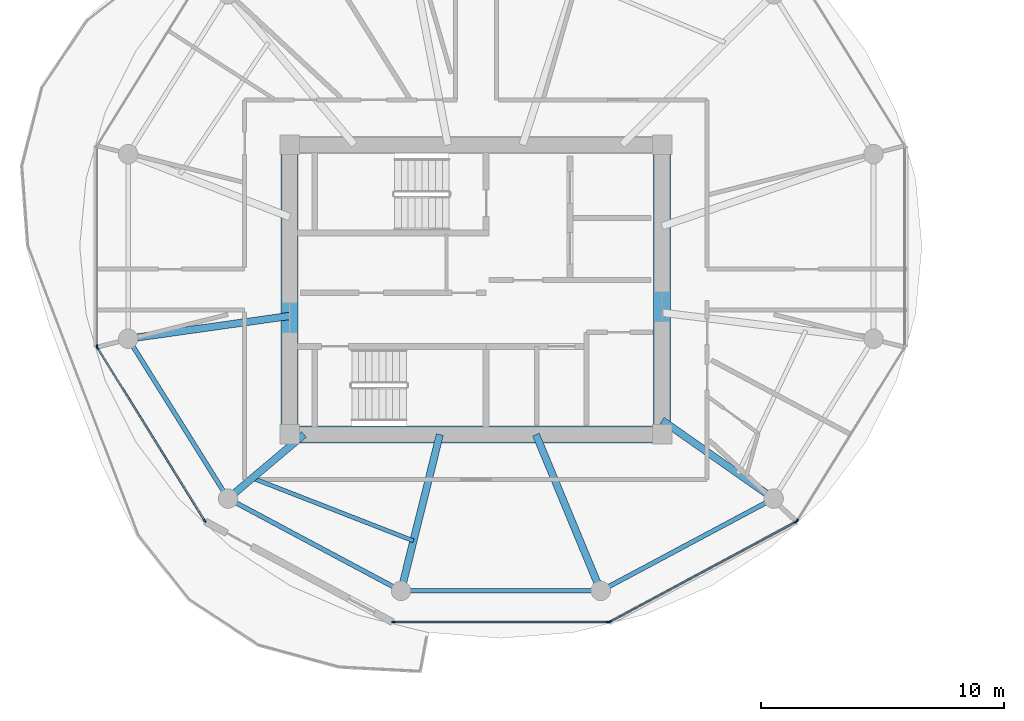
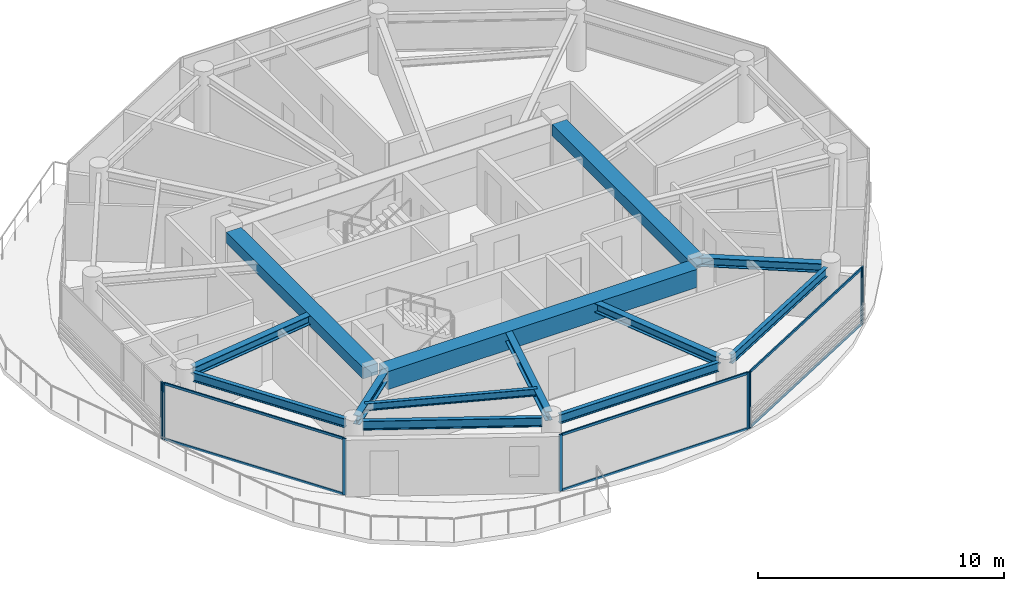
# One storey, part 2 of 23: 14 members, 13 beams, 5 elements without a shape of their own.
"""IFC4 building model written with IfcOpenShell, lengths in metres."""

from ifc_helpers import new_model, si_unit, direction, frame, origin, origin_2d, place, context, subcontext, project, spatial, rectangle, i_section, extrude, source, transform, mapped, material, layer, layer_set, material_profile, profile_set, type_object, type_shapes, element, aggregate, save


model = new_model("IFC4")

# Units and contexts
model_context = context("Model", 3, precision=1e-05, world=origin(), true_north=direction((0.0, 1.0)))
body_context = subcontext(model_context, "Body", "Model", "MODEL_VIEW")
ifc_project = project(units=[si_unit("LENGTHUNIT", "METRE"), si_unit("AREAUNIT", "SQUARE_METRE"), si_unit("VOLUMEUNIT", "CUBIC_METRE"), si_unit("PLANEANGLEUNIT", "RADIAN"), si_unit("MASSUNIT", "GRAM", prefix="KILO")], contexts=[model_context])

# Site, building, storey
site_placement = place(None, origin())
site = spatial("IfcSite", under=ifc_project, at=site_placement, CompositionType="ELEMENT")
building_placement = place(site_placement, origin())
building = spatial("IfcBuilding", under=site, at=building_placement, Name="Norrkilde Senior Care Towers", CompositionType="ELEMENT")
storey_placement = place(building_placement, frame((0.0, 0.0, 158.699951171875)))
storey = spatial("IfcBuildingStorey", under=building, at=storey_placement, Name="L49", CompositionType="ELEMENT", Elevation=158.699951171875)

# Beams
ifc_material_1 = material(Name="Concrete C60/75", Category="concrete")
ifc_material_profile_1 = material_profile(ifc_material_1, rectangle(XDim=0.699951171875, YDim=0.89990234375, at=origin_2d()), Name="RC BM 700x900")
ifc_profile_set_1 = profile_set([ifc_material_profile_1], Name="Concrete C60/75")
beam_type_1 = type_object("IfcBeamType", Name="Core Coupling Girder 700x900", PredefinedType="USERDEFINED", material=ifc_profile_set_1)
shared_shape_1 = source(origin(), body_context, "Body", "SweptSolid", [
    extrude(rectangle(XDim=0.699951171875, YDim=0.89990234375, at=origin_2d()), origin(), (0.0, 0.0, 1.0), 14.5400390625),
])
type_shapes(beam_type_1, [shared_shape_1])
beam_1_placement = place(storey_placement, frame((-35.27001953125, -5.949951171875, 2.360107421875), z_axis=(1.0, 0.0, 0.0), x_axis=(0.0, 1.0, 0.0)))
element("IfcBeam", 1, at=beam_1_placement, inside=storey, type_object=beam_type_1, Name="L49 Core W S Coupling Girder", ObjectType="GIRDER", PredefinedType="USERDEFINED", context=body_context, shape_type="MappedRepresentation", body=[
    mapped(shared_shape_1, transform((0.0, 0.0, 0.0), x_axis=(1.0, 0.0, 0.0), y_axis=(0.0, 1.0, 0.0), z_axis=(0.0, 0.0, 1.0), scale=1.0)),
])
ifc_material_profile_2 = material_profile(ifc_material_1, rectangle(XDim=0.699951171875, YDim=0.550048828125, at=origin_2d()), Name="RC BM 700x550")
ifc_profile_set_2 = profile_set([ifc_material_profile_2], Name="Concrete C60/75")
beam_type_2 = type_object("IfcBeamType", Name="Core Portal Coupling Beam 700x550", PredefinedType="USERDEFINED", material=ifc_profile_set_2)
shared_shape_2 = source(origin(), body_context, "Body", "SweptSolid", [
    extrude(rectangle(XDim=0.699951171875, YDim=0.550048828125, at=origin_2d()), origin(), (0.0, 0.0, 1.0), 11.14013671875),
])
type_shapes(beam_type_2, [shared_shape_2])
for number, where, z_axis, x_axis, name in (
    (2, (-35.64990234375, -5.570068359375, 2.53515625), (0.0, 1.0, 0.0), (-1.0, 0.0, 0.0), "L49 Core W W Coupling Girder"),
    (3, (-20.35009765625, -5.570068359375, 2.53515625), (0.0, 1.0, 0.0), (-1.0, 0.0, 0.0), "L49 Core W E Coupling Girder"),
):
    element("IfcBeam", number, at=place(storey_placement, frame(where, z_axis=z_axis, x_axis=x_axis)), inside=storey, type_object=beam_type_2, Name=name, ObjectType="GIRDER", PredefinedType="USERDEFINED", context=body_context, shape_type="MappedRepresentation", body=[
        mapped(shared_shape_2, transform((0.0, 0.0, 0.0), x_axis=(1.0, 0.0, 0.0), y_axis=(0.0, 1.0, 0.0), z_axis=(0.0, 0.0, 1.0), scale=1.0)),
    ])
ifc_material_2 = material(Name="Steel S355", Category="steel")
ifc_material_profile_3 = material_profile(ifc_material_2, i_section(OverallWidth=0.18994140625, OverallDepth=0.449951171875, WebThickness=0.009521484375, FlangeThickness=0.0146484375, FilletRadius=0.02099609375, at=origin_2d()), Name="IPE 450")
ifc_profile_set_3 = profile_set([ifc_material_profile_3], Name="Steel S355")
beam_type_3 = type_object("IfcBeamType", Name="Perimeter Ring Spandrel Z3 IPE450", PredefinedType="SPANDREL", material=ifc_profile_set_3)
shared_shape_3 = source(origin(), body_context, "Body", "SweptSolid", [
    extrude(i_section(OverallWidth=0.18994140625, OverallDepth=0.449951171875, WebThickness=0.009521484375, FlangeThickness=0.0146484375, FilletRadius=0.02099609375, at=origin_2d()), origin(), (0.0, 0.0, 1.0), 7.484619140625),
])
beam_2_placement = place(storey_placement, frame((-30.71728515625, -12.37548828125, 2.5849609375), z_axis=(1.0, 0.0, 0.0), x_axis=(0.0, 1.0, 0.0)))
element("IfcBeam", 4, at=beam_2_placement, inside=storey, type_object=beam_type_3, Name="L49 Drum W Perimeter Spandrel 09", PredefinedType="SPANDREL", context=body_context, shape_type="MappedRepresentation", body=[
    mapped(shared_shape_3, transform((0.0, 0.0, 0.0), x_axis=(1.0, 0.0, 0.0), y_axis=(0.0, 1.0, 0.0), z_axis=(0.0, 0.0, 1.0), scale=1.0)),
])
shared_shape_4 = source(origin(), body_context, "Body", "SweptSolid", [
    extrude(i_section(OverallWidth=0.18994140625, OverallDepth=0.449951171875, WebThickness=0.009521484375, FlangeThickness=0.0146484375, FilletRadius=0.02099609375, at=origin_2d()), origin(), (0.0, 0.0, 1.0), 7.023193359375),
])
beam_3_placement = place(storey_placement, frame((-42.09423828125, -2.32177734375, 2.5849609375), z_axis=(0.529805197269, -0.848119362441, 0.0), x_axis=(0.848119362441, 0.529805197269, 0.0)))
element("IfcBeam", 5, at=beam_3_placement, inside=storey, type_object=beam_type_3, Name="L49 Drum W Perimeter Spandrel 07", PredefinedType="SPANDREL", context=body_context, shape_type="MappedRepresentation", body=[
    mapped(shared_shape_4, transform((0.0, 0.0, 0.0), x_axis=(1.0, 0.0, 0.0), y_axis=(0.0, 1.0, 0.0), z_axis=(0.0, 0.0, 1.0), scale=1.0)),
])
ifc_material_profile_4 = material_profile(ifc_material_2, i_section(OverallWidth=0.300048828125, OverallDepth=0.449951171875, WebThickness=0.013916015625, FlangeThickness=0.02587890625, FilletRadius=0.027099609375, at=origin_2d()), Name="HEB 450")
ifc_profile_set_4 = profile_set([ifc_material_profile_4], Name="Steel S355")
beam_type_4 = type_object("IfcBeamType", Name="Radial Floor Beam Z3 HEB450", PredefinedType="BEAM", material=ifc_profile_set_4)
shared_shape_5 = source(origin(), body_context, "Body", "SweptSolid", [
    extrude(i_section(OverallWidth=0.300048828125, OverallDepth=0.449951171875, WebThickness=0.013916015625, FlangeThickness=0.02587890625, FilletRadius=0.027099609375, at=origin_2d()), origin(), (0.0, 0.0, 1.0), 6.3408203125),
])
beam_4_placement = place(storey_placement, frame((-35.64990234375, -1.079833984375, 2.5849609375), z_axis=(-0.990184519576, -0.139766294905, 0.0), x_axis=(0.139766294905, -0.990184519576, 0.0)))
element("IfcBeam", 6, at=beam_4_placement, inside=storey, type_object=beam_type_4, Name="L49 Drum W Radial Floor Beam 07", PredefinedType="BEAM", context=body_context, shape_type="MappedRepresentation", body=[
    mapped(shared_shape_5, transform((0.0, 0.0, 0.0), x_axis=(1.0, 0.0, 0.0), y_axis=(0.0, 1.0, 0.0), z_axis=(0.0, 0.0, 1.0), scale=1.0)),
])
shared_shape_6 = source(origin(), body_context, "Body", "SweptSolid", [
    extrude(i_section(OverallWidth=0.18994140625, OverallDepth=0.449951171875, WebThickness=0.009521484375, FlangeThickness=0.0146484375, FilletRadius=0.02099609375, at=origin_2d()), origin(), (0.0, 0.0, 1.0), 7.333984375),
])
type_shapes(beam_type_3, [shared_shape_3, shared_shape_4, shared_shape_6])
for number, where, z_axis, x_axis, name in (
    (7, (-37.864990234375, -8.753173828125, 2.5849609375), (0.882234038987, -0.470811109101, 0.0), (0.470811109101, 0.882234038987, 0.0), "L49 Drum W Perimeter Spandrel 08"),
    (8, (-22.55517578125, -12.2060546875, 2.5849609375), (0.882234038987, 0.470811109101, 0.0), (-0.470811109101, 0.882234038987, 0.0), "L49 Drum W Perimeter Spandrel 10"),
):
    element("IfcBeam", number, at=place(storey_placement, frame(where, z_axis=z_axis, x_axis=x_axis)), inside=storey, type_object=beam_type_3, Name=name, PredefinedType="SPANDREL", context=body_context, shape_type="MappedRepresentation", body=[
        mapped(shared_shape_6, transform((0.0, 0.0, 0.0), x_axis=(1.0, 0.0, 0.0), y_axis=(0.0, 1.0, 0.0), z_axis=(0.0, 0.0, 1.0), scale=1.0)),
    ])
shared_shape_7 = source(origin(), body_context, "Body", "SweptSolid", [
    extrude(i_section(OverallWidth=0.300048828125, OverallDepth=0.449951171875, WebThickness=0.013916015625, FlangeThickness=0.02587890625, FilletRadius=0.027099609375, at=origin_2d()), origin(), (0.0, 0.0, 1.0), 3.7265625),
])
beam_5_placement = place(storey_placement, frame((-35.058349609375, -5.949951171875, 2.5849609375), z_axis=(-0.764567902106, -0.644543189453, 0.0), x_axis=(0.644543189453, -0.764567902106, 0.0)))
element("IfcBeam", 9, at=beam_5_placement, inside=storey, type_object=beam_type_4, Name="L49 Drum W Radial Floor Beam 08", PredefinedType="BEAM", context=body_context, shape_type="MappedRepresentation", body=[
    mapped(shared_shape_7, transform((0.0, 0.0, 0.0), x_axis=(1.0, 0.0, 0.0), y_axis=(0.0, 1.0, 0.0), z_axis=(0.0, 0.0, 1.0), scale=1.0)),
])
shared_shape_8 = source(origin(), body_context, "Body", "SweptSolid", [
    extrude(i_section(OverallWidth=0.300048828125, OverallDepth=0.449951171875, WebThickness=0.013916015625, FlangeThickness=0.02587890625, FilletRadius=0.027099609375, at=origin_2d()), origin(), (0.0, 0.0, 1.0), 6.26123046875),
])
beam_6_placement = place(storey_placement, frame((-29.4794921875, -5.949951171875, 2.5849609375), z_axis=(-0.241324375921, -0.970444509277, 0.0), x_axis=(0.970444509277, -0.241324375921, 0.0)))
element("IfcBeam", 10, at=beam_6_placement, inside=storey, type_object=beam_type_4, Name="L49 Drum W Radial Floor Beam 09", PredefinedType="BEAM", context=body_context, shape_type="MappedRepresentation", body=[
    mapped(shared_shape_8, transform((0.0, 0.0, 0.0), x_axis=(1.0, 0.0, 0.0), y_axis=(0.0, 1.0, 0.0), z_axis=(0.0, 0.0, 1.0), scale=1.0)),
])
shared_shape_9 = source(origin(), body_context, "Body", "SweptSolid", [
    extrude(i_section(OverallWidth=0.300048828125, OverallDepth=0.449951171875, WebThickness=0.013916015625, FlangeThickness=0.02587890625, FilletRadius=0.027099609375, at=origin_2d()), origin(), (0.0, 0.0, 1.0), 6.59521484375),
])
beam_7_placement = place(storey_placement, frame((-25.534912109375, -5.949951171875, 2.5849609375), z_axis=(0.382761541363, -0.923847174836, 0.0), x_axis=(0.923847174836, 0.382761541363, 0.0)))
element("IfcBeam", 11, at=beam_7_placement, inside=storey, type_object=beam_type_4, Name="L49 Drum W Radial Floor Beam 10", PredefinedType="BEAM", context=body_context, shape_type="MappedRepresentation", body=[
    mapped(shared_shape_9, transform((0.0, 0.0, 0.0), x_axis=(1.0, 0.0, 0.0), y_axis=(0.0, 1.0, 0.0), z_axis=(0.0, 0.0, 1.0), scale=1.0)),
])
shared_shape_10 = source(origin(), body_context, "Body", "SweptSolid", [
    extrude(i_section(OverallWidth=0.300048828125, OverallDepth=0.449951171875, WebThickness=0.013916015625, FlangeThickness=0.02587890625, FilletRadius=0.027099609375, at=origin_2d()), origin(), (0.0, 0.0, 1.0), 5.23828125),
])
type_shapes(beam_type_4, [shared_shape_5, shared_shape_7, shared_shape_8, shared_shape_9, shared_shape_10])
beam_8_placement = place(storey_placement, frame((-20.35009765625, -5.3681640625, 2.5849609375), z_axis=(0.818592061291, -0.574375345215, 0.0), x_axis=(0.574375345215, 0.818592061291, 0.0)))
element("IfcBeam", 12, at=beam_8_placement, inside=storey, type_object=beam_type_4, Name="L49 Drum W Radial Floor Beam 11", PredefinedType="BEAM", context=body_context, shape_type="MappedRepresentation", body=[
    mapped(shared_shape_10, transform((0.0, 0.0, 0.0), x_axis=(1.0, 0.0, 0.0), y_axis=(0.0, 1.0, 0.0), z_axis=(0.0, 0.0, 1.0), scale=1.0)),
])
ifc_material_profile_5 = material_profile(ifc_material_2, i_section(OverallWidth=0.169921875, OverallDepth=0.360107421875, WebThickness=0.008056640625, FlangeThickness=0.0126953125, FilletRadius=0.01806640625, at=origin_2d()), Name="IPE 360")
ifc_profile_set_5 = profile_set([ifc_material_profile_5], Name="Steel S355")
beam_type_5 = type_object("IfcBeamType", Name="Secondary Floor Joist IPE360", PredefinedType="JOIST", material=ifc_profile_set_5)
shared_shape_11 = source(origin(), body_context, "Body", "SweptSolid", [
    extrude(i_section(OverallWidth=0.169921875, OverallDepth=0.360107421875, WebThickness=0.008056640625, FlangeThickness=0.0126953125, FilletRadius=0.01806640625, at=origin_2d()), origin(), (0.0, 0.0, 1.0), 7.1015625),
])
type_shapes(beam_type_5, [shared_shape_11])
beam_9_placement = place(storey_placement, frame((-37.182861328125, -7.740966796875, 2.630126953125), z_axis=(0.931761231292, -0.363071629106, 0.0), x_axis=(0.363071629106, 0.931761231292, 0.0)))
element("IfcBeam", 13, at=beam_9_placement, inside=storey, type_object=beam_type_5, Name="L49 Drum W Secondary Floor Joist 3", PredefinedType="JOIST", context=body_context, shape_type="MappedRepresentation", body=[
    mapped(shared_shape_11, transform((0.0, 0.0, 0.0), x_axis=(1.0, 0.0, 0.0), y_axis=(0.0, 1.0, 0.0), z_axis=(0.0, 0.0, 1.0), scale=1.0)),
])

# Curtain wall, member
ifc_material_3 = material(Name="Triple Low-E Insulated Glazing", Category="glass")
ifc_layer = layer(ifc_material_3, 0.18994140625)
ifc_layer_set = layer_set([ifc_layer], Name="Triple Low-E Insulated Glazing")
curtain_wall_type = type_object("IfcCurtainWallType", Name="CW4 Zone 3 Senior Residence Curtain Wall", PredefinedType="NOTDEFINED", material=ifc_layer_set)
curtain_wall_1_placement = place(storey_placement, origin())
curtain_wall_1 = element("IfcCurtainWall", 14, at=curtain_wall_1_placement, inside=storey, type_object=curtain_wall_type, Name="L49 Drum W Curtain Wall 05", PredefinedType="NOTDEFINED")
ifc_material_4 = material(Name="Anodised Aluminium", Category="aluminium")
ifc_material_profile_6 = material_profile(ifc_material_4, rectangle(XDim=0.06494140625, YDim=0.14990234375, at=origin_2d()), Name="ALU MULL 65x150")
ifc_profile_set_6 = profile_set([ifc_material_profile_6], Name="Anodised Aluminium")
member_type_1 = type_object("IfcMemberType", Name="Curtain Wall Mullion Z3-Z4 65x150", PredefinedType="MULLION", material=ifc_profile_set_6)
shared_shape_12 = source(origin(), body_context, "Body", "SweptSolid", [
    extrude(rectangle(XDim=0.06494140625, YDim=0.14990234375, at=origin_2d()), origin(), (0.0, 0.0, 1.0), 2.81005859375),
])
type_shapes(member_type_1, [shared_shape_12])
member_1_placement = place(storey_placement, frame((-43.569580078125, -2.328125, 0.0), z_axis=(0.0, 0.0, 1.0), x_axis=(-1.0, 0.0, 0.0)))
member_1 = element("IfcMember", 15, at=member_1_placement, type_object=member_type_1, Name="CW-4 mullion 1", PredefinedType="MULLION", context=body_context, shape_type="MappedRepresentation", body=[
    mapped(shared_shape_12, transform((0.0, 0.0, 0.0), x_axis=(1.0, 0.0, 0.0), y_axis=(0.0, 1.0, 0.0), z_axis=(0.0, 0.0, 1.0), scale=1.0)),
])
aggregate(curtain_wall_1, [member_1])

# Curtain wall, members
curtain_wall_2_placement = place(storey_placement, origin())
curtain_wall_2 = element("IfcCurtainWall", 16, at=curtain_wall_2_placement, inside=storey, type_object=curtain_wall_type, Name="L49 Drum W Curtain Wall 06", PredefinedType="NOTDEFINED")
member_2_placement = place(storey_placement, frame((-39.14013671875, -9.49658203125, 0.0), z_axis=(0.0, 0.0, 1.0), x_axis=(-0.84963405474, -0.52737270789, 0.0)))
member_2 = element("IfcMember", 17, at=member_2_placement, type_object=member_type_1, Name="CW-4 mullion 1", PredefinedType="MULLION", context=body_context, shape_type="MappedRepresentation", body=[
    mapped(shared_shape_12, transform((0.0, 0.0, 0.0), x_axis=(1.0, 0.0, 0.0), y_axis=(0.0, 1.0, 0.0), z_axis=(0.0, 0.0, 1.0), scale=1.0)),
])
member_3_placement = place(storey_placement, frame((-43.552490234375, -2.38818359375, 0.0), z_axis=(0.0, 0.0, 1.0), x_axis=(-0.84963405474, -0.52737270789, 0.0)))
member_3 = element("IfcMember", 18, at=member_3_placement, type_object=member_type_1, Name="CW-4 mullion 2", PredefinedType="MULLION", context=body_context, shape_type="MappedRepresentation", body=[
    mapped(shared_shape_12, transform((0.0, 0.0, 0.0), x_axis=(1.0, 0.0, 0.0), y_axis=(0.0, 1.0, 0.0), z_axis=(0.0, 0.0, 1.0), scale=1.0)),
])

curtain_wall_3_placement = place(storey_placement, origin())
curtain_wall_3 = element("IfcCurtainWall", 19, at=curtain_wall_3_placement, inside=storey, type_object=curtain_wall_type, Name="L49 Drum W Curtain Wall 08", PredefinedType="NOTDEFINED")
member_4_placement = place(storey_placement, frame((-22.56103515625, -13.66015625, 0.0), z_axis=(0.0, 0.0, 1.0), x_axis=(0.0, -1.0, 0.0)))
member_4 = element("IfcMember", 20, at=member_4_placement, type_object=member_type_1, Name="CW-4 mullion 1", PredefinedType="MULLION", context=body_context, shape_type="MappedRepresentation", body=[
    mapped(shared_shape_12, transform((0.0, 0.0, 0.0), x_axis=(1.0, 0.0, 0.0), y_axis=(0.0, 1.0, 0.0), z_axis=(0.0, 0.0, 1.0), scale=1.0)),
])
member_5_placement = place(storey_placement, frame((-31.388916015625, -13.66015625, 0.0), z_axis=(0.0, 0.0, 1.0), x_axis=(0.0, -1.0, 0.0)))
member_5 = element("IfcMember", 21, at=member_5_placement, type_object=member_type_1, Name="CW-4 mullion 2", PredefinedType="MULLION", context=body_context, shape_type="MappedRepresentation", body=[
    mapped(shared_shape_12, transform((0.0, 0.0, 0.0), x_axis=(1.0, 0.0, 0.0), y_axis=(0.0, 1.0, 0.0), z_axis=(0.0, 0.0, 1.0), scale=1.0)),
])

curtain_wall_4_placement = place(storey_placement, origin())
curtain_wall_4 = element("IfcCurtainWall", 22, at=curtain_wall_4_placement, inside=storey, type_object=curtain_wall_type, Name="L49 Drum W Curtain Wall 09", PredefinedType="NOTDEFINED")
member_6_placement = place(storey_placement, frame((-14.85546875, -9.53955078125, 0.0), z_axis=(0.0, 0.0, 1.0), x_axis=(0.47311715104, -0.880999524059, 0.0)))
member_6 = element("IfcMember", 23, at=member_6_placement, type_object=member_type_1, Name="CW-4 mullion 1", PredefinedType="MULLION", context=body_context, shape_type="MappedRepresentation", body=[
    mapped(shared_shape_12, transform((0.0, 0.0, 0.0), x_axis=(1.0, 0.0, 0.0), y_axis=(0.0, 1.0, 0.0), z_axis=(0.0, 0.0, 1.0), scale=1.0)),
])
member_7_placement = place(storey_placement, frame((-22.499755859375, -13.644775390625, 0.0), z_axis=(0.0, 0.0, 1.0), x_axis=(0.47311715104, -0.880999524059, 0.0)))
member_7 = element("IfcMember", 24, at=member_7_placement, type_object=member_type_1, Name="CW-4 mullion 2", PredefinedType="MULLION", context=body_context, shape_type="MappedRepresentation", body=[
    mapped(shared_shape_12, transform((0.0, 0.0, 0.0), x_axis=(1.0, 0.0, 0.0), y_axis=(0.0, 1.0, 0.0), z_axis=(0.0, 0.0, 1.0), scale=1.0)),
])

# Curtain wall, member
curtain_wall_5_placement = place(storey_placement, origin())
curtain_wall_5 = element("IfcCurtainWall", 25, at=curtain_wall_5_placement, inside=storey, type_object=curtain_wall_type, Name="L49 Drum W Curtain Wall 10", PredefinedType="NOTDEFINED")
member_8_placement = place(storey_placement, frame((-14.809814453125, -9.49658203125, 0.0), z_axis=(0.0, 0.0, 1.0), x_axis=(0.84963405474, -0.52737270789, 0.0)))
member_8 = element("IfcMember", 26, at=member_8_placement, type_object=member_type_1, Name="CW-4 mullion 2", PredefinedType="MULLION", context=body_context, shape_type="MappedRepresentation", body=[
    mapped(shared_shape_12, transform((0.0, 0.0, 0.0), x_axis=(1.0, 0.0, 0.0), y_axis=(0.0, 1.0, 0.0), z_axis=(0.0, 0.0, 1.0), scale=1.0)),
])
aggregate(curtain_wall_5, [member_8])

# Member
ifc_material_profile_7 = material_profile(ifc_material_4, rectangle(XDim=0.06005859375, YDim=0.1201171875, at=origin_2d()), Name="ALU TRAN 60x120")
ifc_profile_set_7 = profile_set([ifc_material_profile_7], Name="Anodised Aluminium")
member_type_2 = type_object("IfcMemberType", Name="Curtain Wall Transom Typical 60x120", PredefinedType="USERDEFINED", material=ifc_profile_set_7)
shared_shape_13 = source(origin(), body_context, "Body", "SweptSolid", [
    extrude(rectangle(XDim=0.06005859375, YDim=0.1201171875, at=origin_2d()), origin(), (0.0, 0.0, 1.0), 8.301513671875),
])
member_9_placement = place(storey_placement, frame((-39.157470703125, -9.468994140625, 0.030029296875), z_axis=(-0.527368718394, 0.849636531029, 0.0), x_axis=(-0.849636531029, -0.527368718394, 0.0)))
member_9 = element("IfcMember", 27, at=member_9_placement, type_object=member_type_2, Name="CW-4 transom 1.1", ObjectType="TRANSOM", PredefinedType="USERDEFINED", context=body_context, shape_type="MappedRepresentation", body=[
    mapped(shared_shape_13, transform((0.0, 0.0, 0.0), x_axis=(1.0, 0.0, 0.0), y_axis=(0.0, 1.0, 0.0), z_axis=(0.0, 0.0, 1.0), scale=1.0)),
])

member_10_placement = place(storey_placement, frame((-39.157470703125, -9.468994140625, 2.780029296875), z_axis=(-0.527368718394, 0.849636531029, 0.0), x_axis=(-0.849636531029, -0.527368718394, 0.0)))
member_10 = element("IfcMember", 28, at=member_10_placement, type_object=member_type_2, Name="CW-4 transom 1.2", ObjectType="TRANSOM", PredefinedType="USERDEFINED", context=body_context, shape_type="MappedRepresentation", body=[
    mapped(shared_shape_13, transform((0.0, 0.0, 0.0), x_axis=(1.0, 0.0, 0.0), y_axis=(0.0, 1.0, 0.0), z_axis=(0.0, 0.0, 1.0), scale=1.0)),
])

aggregate(curtain_wall_2, [member_2, member_3, member_9, member_10])

shared_shape_14 = source(origin(), body_context, "Body", "SweptSolid", [
    extrude(rectangle(XDim=0.06005859375, YDim=0.1201171875, at=origin_2d()), origin(), (0.0, 0.0, 1.0), 8.61181640625),
])
member_11_placement = place(storey_placement, frame((-14.88427734375, -9.554931640625, 0.030029296875), z_axis=(-0.880993991641, -0.473127452906, 0.0), x_axis=(0.473127452906, -0.880993991641, 0.0)))
member_11 = element("IfcMember", 29, at=member_11_placement, type_object=member_type_2, Name="CW-4 transom 1.1", ObjectType="TRANSOM", PredefinedType="USERDEFINED", context=body_context, shape_type="MappedRepresentation", body=[
    mapped(shared_shape_14, transform((0.0, 0.0, 0.0), x_axis=(1.0, 0.0, 0.0), y_axis=(0.0, 1.0, 0.0), z_axis=(0.0, 0.0, 1.0), scale=1.0)),
])

member_12_placement = place(storey_placement, frame((-14.88427734375, -9.554931640625, 2.780029296875), z_axis=(-0.880993991641, -0.473127452906, 0.0), x_axis=(0.473127452906, -0.880993991641, 0.0)))
member_12 = element("IfcMember", 30, at=member_12_placement, type_object=member_type_2, Name="CW-4 transom 1.2", ObjectType="TRANSOM", PredefinedType="USERDEFINED", context=body_context, shape_type="MappedRepresentation", body=[
    mapped(shared_shape_14, transform((0.0, 0.0, 0.0), x_axis=(1.0, 0.0, 0.0), y_axis=(0.0, 1.0, 0.0), z_axis=(0.0, 0.0, 1.0), scale=1.0)),
])

aggregate(curtain_wall_4, [member_6, member_7, member_11, member_12])

shared_shape_15 = source(origin(), body_context, "Body", "SweptSolid", [
    extrude(rectangle(XDim=0.06005859375, YDim=0.1201171875, at=origin_2d()), origin(), (0.0, 0.0, 1.0), 8.762939453125),
])
type_shapes(member_type_2, [shared_shape_13, shared_shape_14, shared_shape_15])
member_13_placement = place(storey_placement, frame((-22.593505859375, -13.66015625, 0.030029296875), z_axis=(-1.0, 0.0, 0.0), x_axis=(0.0, -1.0, 0.0)))
member_13 = element("IfcMember", 31, at=member_13_placement, type_object=member_type_2, Name="CW-4 transom 1.1", ObjectType="TRANSOM", PredefinedType="USERDEFINED", context=body_context, shape_type="MappedRepresentation", body=[
    mapped(shared_shape_15, transform((0.0, 0.0, 0.0), x_axis=(1.0, 0.0, 0.0), y_axis=(0.0, 1.0, 0.0), z_axis=(0.0, 0.0, 1.0), scale=1.0)),
])

member_14_placement = place(storey_placement, frame((-22.593505859375, -13.66015625, 2.780029296875), z_axis=(-1.0, 0.0, 0.0), x_axis=(0.0, -1.0, 0.0)))
member_14 = element("IfcMember", 32, at=member_14_placement, type_object=member_type_2, Name="CW-4 transom 1.2", ObjectType="TRANSOM", PredefinedType="USERDEFINED", context=body_context, shape_type="MappedRepresentation", body=[
    mapped(shared_shape_15, transform((0.0, 0.0, 0.0), x_axis=(1.0, 0.0, 0.0), y_axis=(0.0, 1.0, 0.0), z_axis=(0.0, 0.0, 1.0), scale=1.0)),
])

aggregate(curtain_wall_3, [member_4, member_5, member_13, member_14])

save(model, "model.ifc")
